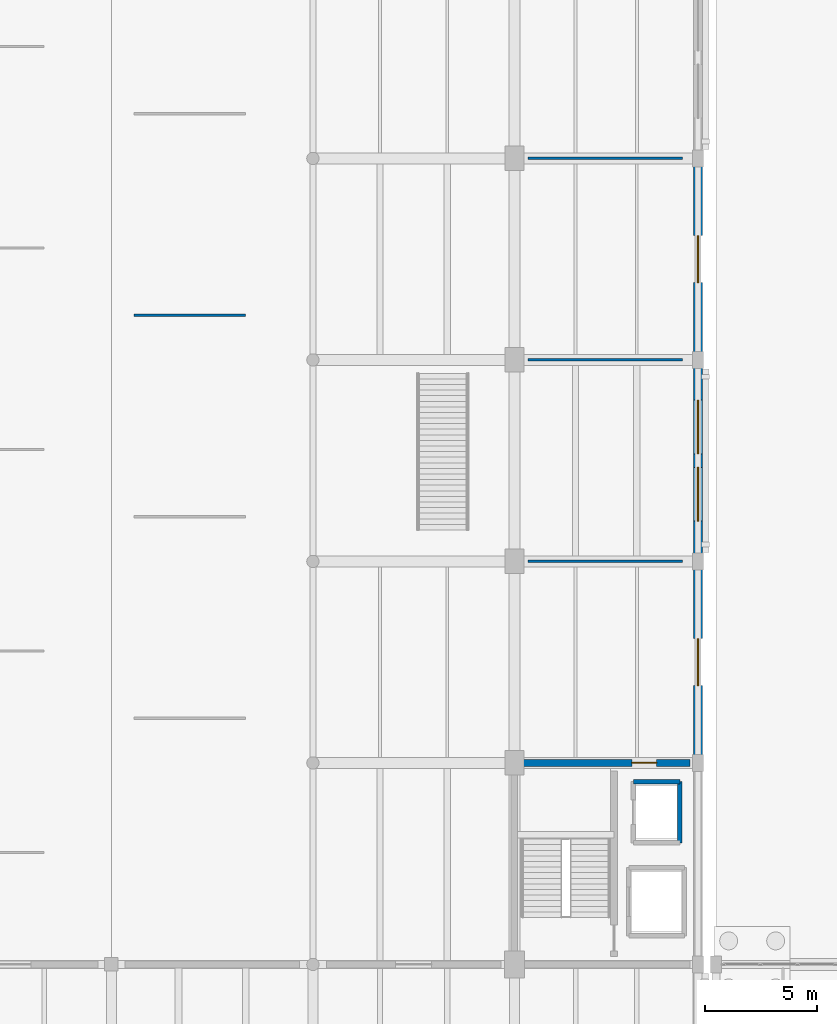
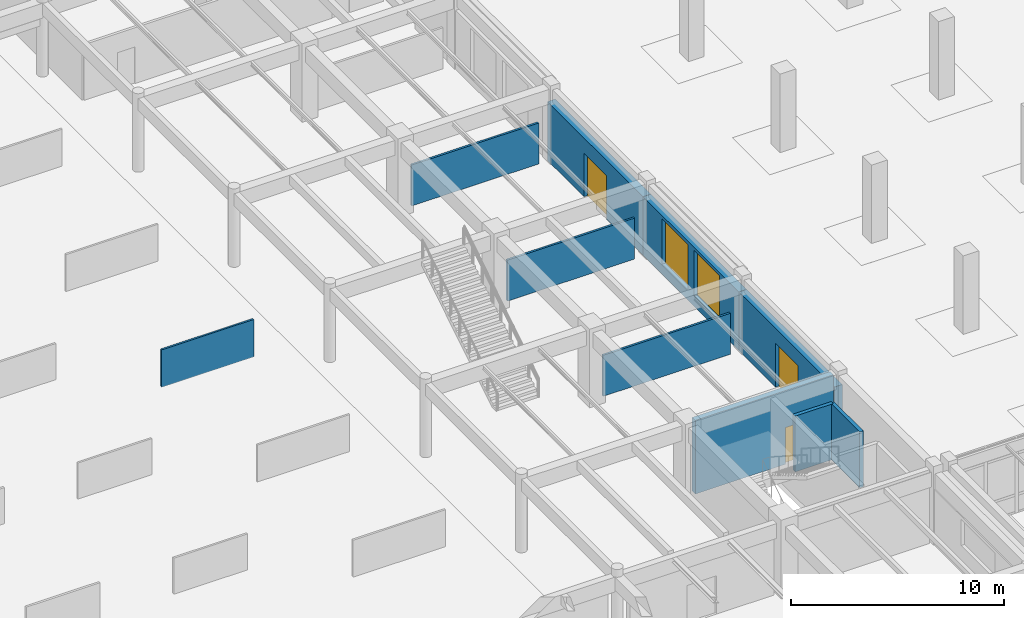
# One storey, part 162 of 186: 10 walls, 3 doors, 2 windows, 5 openings.
"""IFC4 building model written with IfcOpenShell, lengths in metres."""

from ifc_helpers import new_model, si_unit, direction, frame, frame_2d, origin, place, context, subcontext, project, spatial, rectangle, extrude, material, layer, layer_set, type_object, element, fill, save


model = new_model("IFC4")

# Units and contexts
model_context = context("Model", 3, precision=1e-05, world=origin(), true_north=direction((0.0, 1.0)))
body_context = subcontext(model_context, "Body", "Model", "MODEL_VIEW")
ifc_project = project(units=[si_unit("LENGTHUNIT", "METRE"), si_unit("AREAUNIT", "SQUARE_METRE"), si_unit("VOLUMEUNIT", "CUBIC_METRE"), si_unit("PLANEANGLEUNIT", "RADIAN"), si_unit("MASSUNIT", "GRAM", prefix="KILO")], contexts=[model_context])

# Site, building, storey
site_placement = place(None, origin())
site = spatial("IfcSite", under=ifc_project, at=site_placement, CompositionType="ELEMENT")
building_placement = place(site_placement, origin())
building = spatial("IfcBuilding", under=site, at=building_placement, Name="Ornek Quay Market", CompositionType="ELEMENT")
storey_placement = place(building_placement, origin())
storey = spatial("IfcBuildingStorey", under=building, at=storey_placement, Name="L00", CompositionType="ELEMENT", Elevation=0.0)

# Wall, opening, door
ifc_material_1 = material(Name="Concrete C40/50", Category="concrete")
ifc_layer_1 = layer(ifc_material_1, 0.300048828125, Name="Concrete C40/50", Category="concrete")
ifc_layer_set_1 = layer_set([ifc_layer_1], Name="Concrete C40/50")
wall_type_1 = type_object("IfcWallType", Name="WL-CORE-300", PredefinedType="SHEAR", material=ifc_layer_set_1)
wall_1_placement = place(storey_placement, frame((117.35009765625, 38.0, 0.0), z_axis=(0.0, 0.0, 1.0), x_axis=(1.0, 0.0, 0.0)))
wall_1 = element("IfcWall", 1, at=wall_1_placement, inside=storey, type_object=wall_type_1, Name="Interior wall W-CORE1-089", PredefinedType="SHEAR", context=body_context, shape_type="SweptSolid", body=[
    extrude(rectangle(XDim=7.5, YDim=0.300048828125, at=frame_2d((3.75, 0.0))), origin(), (0.0, 0.0, 1.0), 4.219970703125),
])
opening_1_placement = place(wall_1_placement, frame((4.89990234375, 0.0, 0.0)))
opening_1 = element("IfcOpeningElement", 2, at=opening_1_placement, cuts=wall_1, Name="Opening FD-04-035", PredefinedType="OPENING", context=body_context, shape_type="SweptSolid", body=[
    extrude(rectangle(XDim=1.10009765625, YDim=2.10009765625, at=frame_2d((0.550048828125, 1.050048828125))), frame((0.0, 0.159912109375, 0.0), z_axis=(0.0, -1.0, 0.0), x_axis=(1.0, 0.0, 0.0)), (0.0, 0.0, 1.0), 0.320068359375),
])
ifc_material_2 = material(Name="Insulated fire-rated painted steel", Category="steel")
door_type_1 = type_object("IfcDoorType", Name="DR-FIRE-LOBBY-1100x2100", OperationType="NOTDEFINED", PredefinedType="DOOR", material=ifc_material_2)
door_1_placement = place(opening_1_placement, origin())
door_1 = element("IfcDoor", 3, at=door_1_placement, inside=storey, type_object=door_type_1, Name="Interior door FD-04-035", OperationType="SINGLE_SWING_RIGHT", OverallHeight=2.10009765625, OverallWidth=1.10009765625, PredefinedType="DOOR", context=body_context, shape_type="SweptSolid", body=[
    extrude(rectangle(XDim=1.10009765625, YDim=2.10009765625, at=frame_2d((0.550048828125, 1.050048828125))), frame((0.0, 0.02490234375, 0.0), z_axis=(0.0, -1.0, 0.0), x_axis=(1.0, 0.0, 0.0)), (0.0, 0.0, 1.0), 0.050048828125),
])
fill(opening_1, door_1)

ifc_material_3 = material(Name="Frost-resistant facing clay brick M200 F100", Category="masonry")
ifc_layer_2 = layer(ifc_material_3, 0.419921875, Name="Frost-resistant facing clay brick M200 F100", Category="masonry")
ifc_layer_set_2 = layer_set([ifc_layer_2], Name="Frost-resistant facing clay brick M200 F100")
wall_type_2 = type_object("IfcWallType", Name="WL-EXT-HALL-420", PredefinedType="STANDARD", material=ifc_layer_set_2)
wall_2_placement = place(storey_placement, frame((125.199951171875, 38.0, 0.0), z_axis=(0.0, 0.0, 1.0), x_axis=(0.0, 1.0, 0.0)))
wall_2 = element("IfcWall", 4, at=wall_2_placement, inside=storey, type_object=wall_type_2, Name="Exterior wall EW-121", PredefinedType="STANDARD", context=body_context, shape_type="SweptSolid", body=[
    extrude(rectangle(XDim=9.0, YDim=0.419921875, at=frame_2d((4.5, 0.0))), origin(), (0.0, 0.0, 1.0), 3.3701171875),
])
opening_2_placement = place(wall_2_placement, frame((3.449951171875, 0.0, 0.0)))
opening_2 = element("IfcOpeningElement", 5, at=opening_2_placement, cuts=wall_2, Name="Opening ED-02-032", PredefinedType="OPENING", context=body_context, shape_type="SweptSolid", body=[
    extrude(rectangle(XDim=2.10009765625, YDim=2.5, at=frame_2d((1.050048828125, 1.25))), frame((0.0, 0.219970703125, 0.0), z_axis=(0.0, -1.0, 0.0), x_axis=(1.0, 0.0, 0.0)), (0.0, 0.0, 1.0), 0.43994140625),
])
ifc_material_4 = material(Name="Anodised bronze aluminium and triple glass", Category="aluminium")
door_type_2 = type_object("IfcDoorType", Name="DR-EXT-DBL-2100x2500", OperationType="DOUBLE_DOOR_SINGLE_SWING", PredefinedType="DOOR", material=ifc_material_4)
door_2_placement = place(opening_2_placement, origin())
door_2 = element("IfcDoor", 6, at=door_2_placement, inside=storey, type_object=door_type_2, Name="Exterior door ED-02-032", OperationType="DOUBLE_DOOR_SINGLE_SWING", OverallHeight=2.5, OverallWidth=2.10009765625, PredefinedType="DOOR", context=body_context, shape_type="SweptSolid", body=[
    extrude(rectangle(XDim=2.10009765625, YDim=2.5, at=frame_2d((1.050048828125, 1.25))), frame((0.0, 0.02490234375, 0.0), z_axis=(0.0, -1.0, 0.0), x_axis=(1.0, 0.0, 0.0)), (0.0, 0.0, 1.0), 0.050048828125),
])
fill(opening_2, door_2)

# Wall, openings, windows
wall_3_placement = place(storey_placement, frame((125.199951171875, 47.0, 0.0), z_axis=(0.0, 0.0, 1.0), x_axis=(0.0, 1.0, 0.0)))
wall_3 = element("IfcWall", 7, at=wall_3_placement, inside=storey, type_object=wall_type_2, Name="Exterior wall EW-122", PredefinedType="STANDARD", context=body_context, shape_type="SweptSolid", body=[
    extrude(rectangle(XDim=9.0, YDim=0.419921875, at=frame_2d((4.5, 0.0))), origin(), (0.0, 0.0, 1.0), 3.3701171875),
])
opening_3_placement = place(wall_3_placement, frame((1.800048828125, 0.0, 0.590087890625)))
opening_3 = element("IfcOpeningElement", 8, at=opening_3_placement, cuts=wall_3, Name="Opening W-01-080", PredefinedType="OPENING", context=body_context, shape_type="SweptSolid", body=[
    extrude(rectangle(XDim=2.39990234375, YDim=2.60009765625, at=frame_2d((1.199951171875, 1.300048828125))), frame((0.0, 0.219970703125, 0.0), z_axis=(0.0, -1.0, 0.0), x_axis=(1.0, 0.0, 0.0)), (0.0, 0.0, 1.0), 0.43994140625),
])
opening_4_placement = place(wall_3_placement, frame((4.800048828125, 0.0, 0.590087890625)))
opening_4 = element("IfcOpeningElement", 9, at=opening_4_placement, cuts=wall_3, Name="Opening W-01-081", PredefinedType="OPENING", context=body_context, shape_type="SweptSolid", body=[
    extrude(rectangle(XDim=2.39990234375, YDim=2.60009765625, at=frame_2d((1.199951171875, 1.300048828125))), frame((0.0, 0.219970703125, 0.0), z_axis=(0.0, -1.0, 0.0), x_axis=(1.0, 0.0, 0.0)), (0.0, 0.0, 1.0), 0.43994140625),
])
ifc_material_5 = material(Name="Thermally broken bronze aluminium and triple low-e glass", Category="aluminium")
window_type = type_object("IfcWindowType", Name="WN-HALL-2400x2600", PartitioningType="DOUBLE_PANEL_VERTICAL", PredefinedType="WINDOW", material=ifc_material_5)
window_1_placement = place(opening_3_placement, origin())
window_1 = element("IfcWindow", 10, at=window_1_placement, inside=storey, type_object=window_type, Name="Window W-01-080", OverallHeight=2.60009765625, OverallWidth=2.39990234375, PartitioningType="SINGLE_PANEL", PredefinedType="WINDOW", context=body_context, shape_type="SweptSolid", body=[
    extrude(rectangle(XDim=2.39990234375, YDim=2.60009765625, at=frame_2d((1.199951171875, 1.300048828125))), frame((0.0, 0.030029296875, 0.0), z_axis=(0.0, -1.0, 0.0), x_axis=(1.0, 0.0, 0.0)), (0.0, 0.0, 1.0), 0.06005859375),
])
fill(opening_3, window_1)
window_2_placement = place(opening_4_placement, origin())
window_2 = element("IfcWindow", 11, at=window_2_placement, inside=storey, type_object=window_type, Name="Window W-01-081", OverallHeight=2.60009765625, OverallWidth=2.39990234375, PartitioningType="SINGLE_PANEL", PredefinedType="WINDOW", context=body_context, shape_type="SweptSolid", body=[
    extrude(rectangle(XDim=2.39990234375, YDim=2.60009765625, at=frame_2d((1.199951171875, 1.300048828125))), frame((0.0, 0.030029296875, 0.0), z_axis=(0.0, -1.0, 0.0), x_axis=(1.0, 0.0, 0.0)), (0.0, 0.0, 1.0), 0.06005859375),
])
fill(opening_4, window_2)

# Wall, opening, door
wall_4_placement = place(storey_placement, frame((125.199951171875, 56.0, 0.0), z_axis=(0.0, 0.0, 1.0), x_axis=(0.0, 1.0, 0.0)))
wall_4 = element("IfcWall", 12, at=wall_4_placement, inside=storey, type_object=wall_type_2, Name="Exterior wall EW-123", PredefinedType="STANDARD", context=body_context, shape_type="SweptSolid", body=[
    extrude(rectangle(XDim=9.0, YDim=0.419921875, at=frame_2d((4.5, 0.0))), origin(), (0.0, 0.0, 1.0), 3.3701171875),
])
opening_5_placement = place(wall_4_placement, frame((3.449951171875, 0.0, 0.0)))
opening_5 = element("IfcOpeningElement", 13, at=opening_5_placement, cuts=wall_4, Name="Opening ED-02-033", PredefinedType="OPENING", context=body_context, shape_type="SweptSolid", body=[
    extrude(rectangle(XDim=2.10009765625, YDim=2.5, at=frame_2d((1.050048828125, 1.25))), frame((0.0, 0.219970703125, 0.0), z_axis=(0.0, -1.0, 0.0), x_axis=(1.0, 0.0, 0.0)), (0.0, 0.0, 1.0), 0.43994140625),
])
door_3_placement = place(opening_5_placement, origin())
door_3 = element("IfcDoor", 14, at=door_3_placement, inside=storey, type_object=door_type_2, Name="Exterior door ED-02-033", OperationType="DOUBLE_DOOR_SINGLE_SWING", OverallHeight=2.5, OverallWidth=2.10009765625, PredefinedType="DOOR", context=body_context, shape_type="SweptSolid", body=[
    extrude(rectangle(XDim=2.10009765625, YDim=2.5, at=frame_2d((1.050048828125, 1.25))), frame((0.0, 0.02490234375, 0.0), z_axis=(0.0, -1.0, 0.0), x_axis=(1.0, 0.0, 0.0)), (0.0, 0.0, 1.0), 0.050048828125),
])
fill(opening_5, door_3)

# Walls
ifc_material_6 = material(Name="Concrete C35/45", Category="concrete")
ifc_layer_3 = layer(ifc_material_6, 0.199951171875, Name="Concrete C35/45", Category="concrete")
ifc_layer_set_3 = layer_set([ifc_layer_3], Name="Concrete C35/45")
wall_type_3 = type_object("IfcWallType", Name="WL-SHAFT-200", PredefinedType="SOLIDWALL", material=ifc_layer_set_3)
wall_5_placement = place(storey_placement, frame((122.31005859375, 37.169921875, 0.0), z_axis=(0.0, 0.0, 1.0), x_axis=(1.0, 0.0, 0.0)))
element("IfcWall", 15, at=wall_5_placement, inside=storey, type_object=wall_type_3, Name="Interior wall W-CORE3-096", PredefinedType="SOLIDWALL", context=body_context, shape_type="SweptSolid", body=[
    extrude(rectangle(XDim=2.079833984375, YDim=0.199951171875, at=frame_2d((1.0400390625, 0.0))), origin(), (0.0, 0.0, 1.0), 3.199951171875),
])
wall_6_placement = place(storey_placement, frame((124.389892578125, 34.429931640625, 0.0), z_axis=(0.0, 0.0, 1.0), x_axis=(0.0, 1.0, 0.0)))
element("IfcWall", 16, at=wall_6_placement, inside=storey, type_object=wall_type_3, Name="Interior wall W-CORE3-097", PredefinedType="SOLIDWALL", context=body_context, shape_type="SweptSolid", body=[
    extrude(rectangle(XDim=2.739990234375, YDim=0.199951171875, at=frame_2d((1.3701171875, 0.0))), origin(), (0.0, 0.0, 1.0), 3.199951171875),
])
ifc_material_7 = material(Name="Demountable timber-framed stall partition", Category="wood")
ifc_layer_4 = layer(ifc_material_7, 0.10009765625, Name="Demountable timber-framed stall partition", Category="wood")
ifc_layer_set_4 = layer_set([ifc_layer_4], Name="Demountable timber-framed stall partition")
wall_type_4 = type_object("IfcWallType", Name="WL-STALL-100", PredefinedType="PARTITIONING", material=ifc_layer_set_4)
wall_7_placement = place(storey_placement, frame((100.0, 58.0, 0.0), z_axis=(0.0, 0.0, 1.0), x_axis=(1.0, 0.0, 0.0)))
element("IfcWall", 17, at=wall_7_placement, inside=storey, type_object=wall_type_4, Name="Interior wall W-STL2-283", PredefinedType="PARTITIONING", context=body_context, shape_type="SweptSolid", body=[
    extrude(rectangle(XDim=5.0, YDim=0.10009765625, at=frame_2d((2.5, 0.0))), origin(), (0.0, 0.0, 1.0), 2.14990234375),
])
ifc_material_8 = material(Name="Fair-faced brick stall divider wall", Category="masonry")
ifc_layer_5 = layer(ifc_material_8, 0.114990234375, Name="Fair-faced brick stall divider wall", Category="masonry")
ifc_layer_set_5 = layer_set([ifc_layer_5], Name="Fair-faced brick stall divider wall")
wall_type_5 = type_object("IfcWallType", Name="WL-STALL-115", PredefinedType="PARTITIONING", material=ifc_layer_set_5)
for number, where, z_axis, x_axis, name in (
    (18, (117.60009765625, 47.0, 0.0), (0.0, 0.0, 1.0), (1.0, 0.0, 0.0), "Interior wall W-STL1-277"),
    (19, (117.60009765625, 56.0, 0.0), (0.0, 0.0, 1.0), (1.0, 0.0, 0.0), "Interior wall W-STL1-281"),
    (20, (117.60009765625, 65.0, 0.0), (0.0, 0.0, 1.0), (1.0, 0.0, 0.0), "Interior wall W-STL1-285"),
):
    element("IfcWall", number, at=place(storey_placement, frame(where, z_axis=z_axis, x_axis=x_axis)), inside=storey, type_object=wall_type_5, Name=name, PredefinedType="PARTITIONING", context=body_context, shape_type="SweptSolid", body=[
        extrude(rectangle(XDim=6.89990234375, YDim=0.114990234375, at=frame_2d((3.449951171875, 0.0))), origin(), (0.0, 0.0, 1.0), 2.35009765625),
    ])

save(model, "model.ifc")
